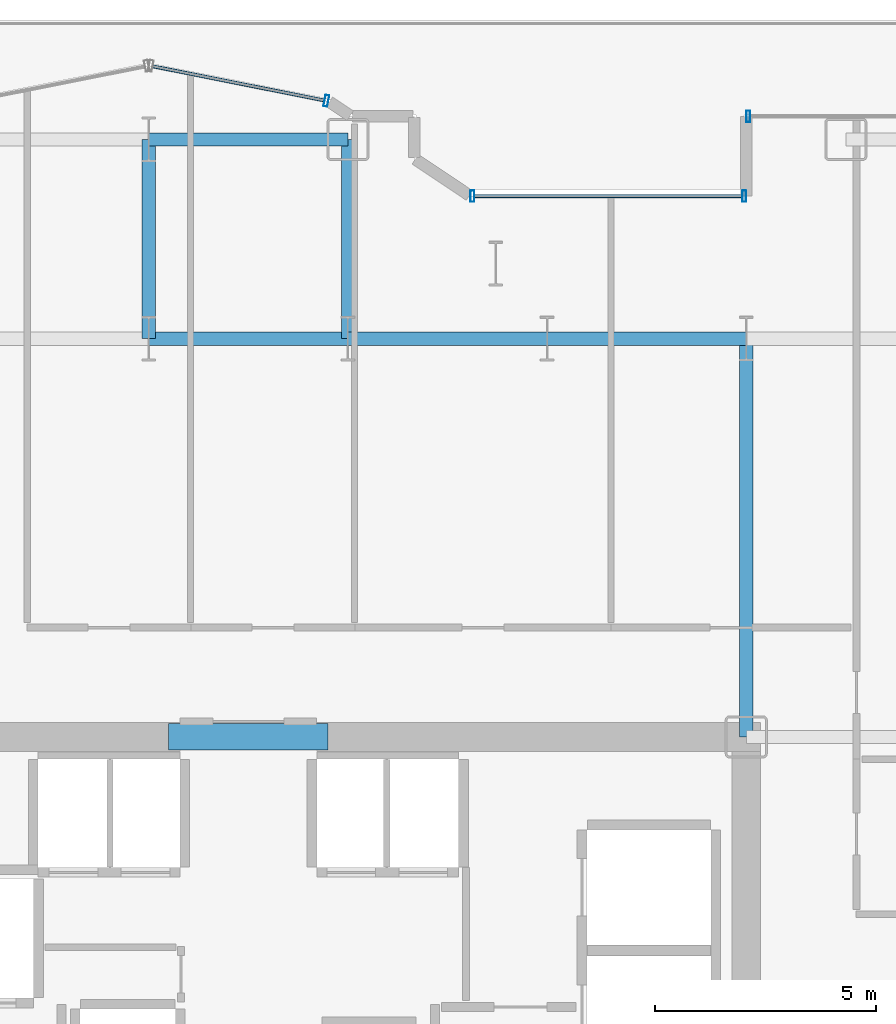
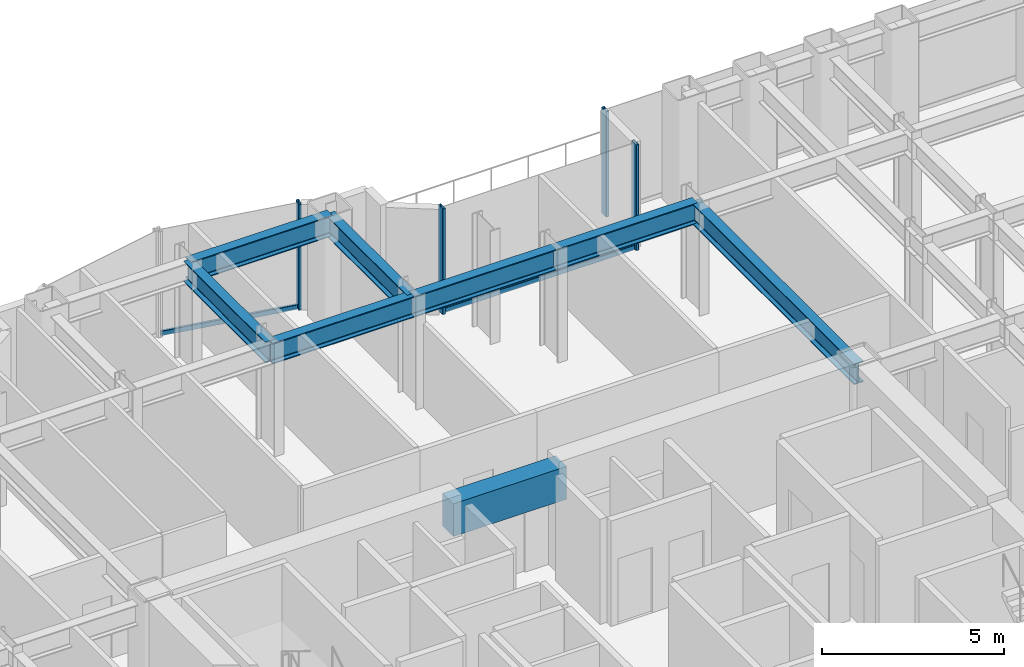
# One storey, part 14 of 30: 8 beams, 6 members, 3 elements without a shape of their own.
"""IFC4 building model written with IfcOpenShell, lengths in metres."""

from ifc_helpers import new_model, si_unit, direction, frame, origin, origin_2d, place, context, subcontext, project, spatial, rectangle, hollow_rectangle, i_section, extrude, source, transform, mapped, material, layer, layer_set, material_profile, profile_set, type_object, element, aggregate, save


model = new_model("IFC4")

# Units and contexts
model_context = context("Model", 3, precision=1e-05, world=origin(), true_north=direction((0.0, 1.0)))
body_context = subcontext(model_context, "Body", "Model", "MODEL_VIEW")
ifc_project = project(units=[si_unit("LENGTHUNIT", "METRE"), si_unit("AREAUNIT", "SQUARE_METRE"), si_unit("VOLUMEUNIT", "CUBIC_METRE"), si_unit("PLANEANGLEUNIT", "RADIAN"), si_unit("MASSUNIT", "GRAM", prefix="KILO")], contexts=[model_context])

# Site, building, storey
site_placement = place(None, origin())
site = spatial("IfcSite", under=ifc_project, at=site_placement, CompositionType="ELEMENT")
building_placement = place(site_placement, origin())
building = spatial("IfcBuilding", under=site, at=building_placement, Name="Nefas-Gora Pilgrimage Tower", CompositionType="ELEMENT")
storey_placement = place(building_placement, frame((0.0, 0.0, 33.0)))
storey = spatial("IfcBuildingStorey", under=building, at=storey_placement, Name="L06", CompositionType="ELEMENT", Elevation=33.0)

# Beams
ifc_material_1 = material(Name="Concrete C60/75", Category="concrete")
ifc_material_profile_1 = material_profile(ifc_material_1, rectangle(XDim=0.60009765625, YDim=1.10009765625, at=origin_2d()), Name="RC 600x1100")
ifc_profile_set_1 = profile_set([ifc_material_profile_1], Name="Concrete C60/75")
beam_type_1 = type_object("IfcBeamType", Name="BM-LIN-RC1100", PredefinedType="LINTEL", material=ifc_profile_set_1)
shared_shape_1 = source(origin(), body_context, "Body", "SweptSolid", [
    extrude(rectangle(XDim=0.60009765625, YDim=1.10009765625, at=origin_2d()), origin(), (0.0, 0.0, 1.0), 3.60009765625),
])
beam_1_placement = place(storey_placement, frame((-1.800048828125, 9.0, 3.0), z_axis=(1.0, 0.0, 0.0), x_axis=(0.0, 1.0, 0.0)))
element("IfcBeam", 1, at=beam_1_placement, inside=storey, type_object=beam_type_1, Name="L06 Core Coupling Lintel Beam N", PredefinedType="LINTEL", context=body_context, shape_type="MappedRepresentation", body=[
    mapped(shared_shape_1, transform((0.0, 0.0, 0.0), x_axis=(1.0, 0.0, 0.0), y_axis=(0.0, 1.0, 0.0), z_axis=(0.0, 0.0, 1.0), scale=1.0)),
])
ifc_material_2 = material(Name="Steel S355", Category="steel")
ifc_material_profile_2 = material_profile(ifc_material_2, i_section(OverallWidth=0.300048828125, OverallDepth=0.699951171875, WebThickness=0.01708984375, FlangeThickness=0.031982421875, FilletRadius=0.027099609375, at=origin_2d()), Name="HEB 700")
ifc_profile_set_2 = profile_set([ifc_material_profile_2], Name="Steel S355")
beam_type_2 = type_object("IfcBeamType", Name="BM-GIR-HEB700", PredefinedType="BEAM", material=ifc_profile_set_2)
shared_shape_2 = source(origin(), body_context, "Body", "SweptSolid", [
    extrude(i_section(OverallWidth=0.300048828125, OverallDepth=0.699951171875, WebThickness=0.01708984375, FlangeThickness=0.031982421875, FilletRadius=0.027099609375, at=origin_2d()), origin(), (0.0, 0.0, 1.0), 9.0),
])
beam_2_placement = place(storey_placement, frame((11.25, 9.0, 3.199951171875), z_axis=(0.0, 1.0, 0.0), x_axis=(-1.0, 0.0, 0.0)))
element("IfcBeam", 2, at=beam_2_placement, inside=storey, type_object=beam_type_2, Name="L06 G-02 beam", PredefinedType="BEAM", context=body_context, shape_type="MappedRepresentation", body=[
    mapped(shared_shape_2, transform((0.0, 0.0, 0.0), x_axis=(1.0, 0.0, 0.0), y_axis=(0.0, 1.0, 0.0), z_axis=(0.0, 0.0, 1.0), scale=1.0)),
])
shared_shape_3 = source(origin(), body_context, "Body", "SweptSolid", [
    extrude(i_section(OverallWidth=0.300048828125, OverallDepth=0.699951171875, WebThickness=0.01708984375, FlangeThickness=0.031982421875, FilletRadius=0.027099609375, at=origin_2d()), origin(), (0.0, 0.0, 1.0), 4.5),
])
for number, where, z_axis, x_axis, name in (
    (3, (-2.25, 18.0, 3.199951171875), (0.0, 1.0, 0.0), (-1.0, 0.0, 0.0), "L06 G-02 beam"),
    (4, (-2.25, 18.0, 3.199951171875), (1.0, 0.0, 0.0), (0.0, 1.0, 0.0), "L06 G-02 beam"),
    (5, (-2.25, 22.5, 3.199951171875), (1.0, 0.0, 0.0), (0.0, 1.0, 0.0), "L06 G-02 beam"),
    (6, (2.25, 18.0, 3.199951171875), (0.0, 1.0, 0.0), (-1.0, 0.0, 0.0), "L06 G-02 beam"),
    (7, (2.25, 18.0, 3.199951171875), (1.0, 0.0, 0.0), (0.0, 1.0, 0.0), "L06 G-02 beam"),
    (8, (6.75, 18.0, 3.199951171875), (1.0, 0.0, 0.0), (0.0, 1.0, 0.0), "L06 G-02 beam"),
):
    element("IfcBeam", number, at=place(storey_placement, frame(where, z_axis=z_axis, x_axis=x_axis)), inside=storey, type_object=beam_type_2, Name=name, PredefinedType="BEAM", context=body_context, shape_type="MappedRepresentation", body=[
        mapped(shared_shape_3, transform((0.0, 0.0, 0.0), x_axis=(1.0, 0.0, 0.0), y_axis=(0.0, 1.0, 0.0), z_axis=(0.0, 0.0, 1.0), scale=1.0)),
    ])

# Curtain wall, members
ifc_material_3 = material(Name="Dark ceramic-fritted solar-control aluminium-glass curtain wall", Category="aluminium")
ifc_layer_1 = layer(ifc_material_3, 0.219970703125)
ifc_layer_set_1 = layer_set([ifc_layer_1], Name="Dark ceramic-fritted solar-control aluminium-glass curtain wall")
curtain_wall_type_1 = type_object("IfcCurtainWallType", Name="CW-SYS-5", PredefinedType="NOTDEFINED", material=ifc_layer_set_1)
curtain_wall_1_placement = place(storey_placement, origin())
curtain_wall_1 = element("IfcCurtainWall", 9, at=curtain_wall_1_placement, inside=storey, type_object=curtain_wall_type_1, Name="L06 Unitised Curtain Wall CW5", PredefinedType="NOTDEFINED")
ifc_material_4 = material(Name="Anodised architectural aluminium", Category="aluminium")
ifc_material_profile_3 = material_profile(ifc_material_4, hollow_rectangle(XDim=0.090087890625, YDim=0.260009765625, WallThickness=0.006103515625, InnerFilletRadius=0.006103515625, OuterFilletRadius=0.011962890625, at=origin_2d()), Name="ALU MULLION 90x260")
ifc_profile_set_3 = profile_set([ifc_material_profile_3], Name="Anodised architectural aluminium")
member_type_1 = type_object("IfcMemberType", Name="CWM-MUL-5", PredefinedType="MULLION", material=ifc_profile_set_3)
shared_shape_4 = source(origin(), body_context, "Body", "SweptSolid", [
    extrude(hollow_rectangle(XDim=0.090087890625, YDim=0.260009765625, WallThickness=0.006103515625, InnerFilletRadius=0.006103515625, OuterFilletRadius=0.011962890625, at=origin_2d()), origin(), (0.0, 0.0, 1.0), 3.550048828125),
])
member_1_placement = place(storey_placement, frame((11.205078125, 21.219970703125, 0.0), z_axis=(0.0, 0.0, 1.0), x_axis=(-1.0, 0.0, 0.0)))
member_1 = element("IfcMember", 10, at=member_1_placement, type_object=member_type_1, Name="CW5 Mullion 1", PredefinedType="MULLION", context=body_context, shape_type="MappedRepresentation", body=[
    mapped(shared_shape_4, transform((0.0, 0.0, 0.0), x_axis=(1.0, 0.0, 0.0), y_axis=(0.0, 1.0, 0.0), z_axis=(0.0, 0.0, 1.0), scale=1.0)),
])
member_2_placement = place(storey_placement, frame((5.06298828125, 21.219970703125, 0.0), z_axis=(0.0, 0.0, 1.0), x_axis=(-1.0, 0.0, 0.0)))
member_2 = element("IfcMember", 11, at=member_2_placement, type_object=member_type_1, Name="CW5 Mullion 2", PredefinedType="MULLION", context=body_context, shape_type="MappedRepresentation", body=[
    mapped(shared_shape_4, transform((0.0, 0.0, 0.0), x_axis=(1.0, 0.0, 0.0), y_axis=(0.0, 1.0, 0.0), z_axis=(0.0, 0.0, 1.0), scale=1.0)),
])

# Curtain wall, member
curtain_wall_2_placement = place(storey_placement, origin())
curtain_wall_2 = element("IfcCurtainWall", 12, at=curtain_wall_2_placement, inside=storey, type_object=curtain_wall_type_1, Name="L06 Unitised Curtain Wall CW5", PredefinedType="NOTDEFINED")
member_3_placement = place(storey_placement, frame((1.76318359375, 23.3740234375, 0.0), z_axis=(0.0, 0.0, 1.0), x_axis=(-0.980782896852, 0.195102304554, 0.0)))
member_3 = element("IfcMember", 13, at=member_3_placement, type_object=member_type_1, Name="CW5 Mullion 1", PredefinedType="MULLION", context=body_context, shape_type="MappedRepresentation", body=[
    mapped(shared_shape_4, transform((0.0, 0.0, 0.0), x_axis=(1.0, 0.0, 0.0), y_axis=(0.0, 1.0, 0.0), z_axis=(0.0, 0.0, 1.0), scale=1.0)),
])

# Member
ifc_material_profile_4 = material_profile(ifc_material_4, hollow_rectangle(XDim=0.080078125, YDim=0.159912109375, WallThickness=0.00439453125, InnerFilletRadius=0.00439453125, OuterFilletRadius=0.009033203125, at=origin_2d()), Name="ALU TRANSOM 80x160")
ifc_profile_set_4 = profile_set([ifc_material_profile_4], Name="Anodised architectural aluminium")
member_type_2 = type_object("IfcMemberType", Name="CWM-TRN-5", PredefinedType="USERDEFINED", material=ifc_profile_set_4)
shared_shape_5 = source(origin(), body_context, "Body", "SweptSolid", [
    extrude(hollow_rectangle(XDim=0.080078125, YDim=0.159912109375, WallThickness=0.00439453125, InnerFilletRadius=0.00439453125, OuterFilletRadius=0.009033203125, at=origin_2d()), origin(), (0.0, 0.0, 1.0), 6.052001953125),
])
member_4_placement = place(storey_placement, frame((11.159912109375, 21.219970703125, 0.050048828125), z_axis=(-1.0, 0.0, 0.0), x_axis=(0.0, -1.0, 0.0)))
member_4 = element("IfcMember", 14, at=member_4_placement, type_object=member_type_2, Name="CW5 Spandrel Transom", ObjectType="TRANSOM", PredefinedType="USERDEFINED", context=body_context, shape_type="MappedRepresentation", body=[
    mapped(shared_shape_5, transform((0.0, 0.0, 0.0), x_axis=(1.0, 0.0, 0.0), y_axis=(0.0, 1.0, 0.0), z_axis=(0.0, 0.0, 1.0), scale=1.0)),
])

aggregate(curtain_wall_1, [member_1, member_2, member_4])

# Curtain wall, member
ifc_layer_2 = layer(ifc_material_3, 0.219970703125)
ifc_layer_set_2 = layer_set([ifc_layer_2], Name="Dark ceramic-fritted solar-control aluminium-glass curtain wall")
curtain_wall_type_2 = type_object("IfcCurtainWallType", Name="CW-SYS-2", PredefinedType="NOTDEFINED", material=ifc_layer_set_2)
curtain_wall_3_placement = place(storey_placement, origin())
curtain_wall_3 = element("IfcCurtainWall", 15, at=curtain_wall_3_placement, inside=storey, type_object=curtain_wall_type_2, Name="L06 Unitised Curtain Wall CW2", PredefinedType="NOTDEFINED")
ifc_material_profile_5 = material_profile(ifc_material_4, hollow_rectangle(XDim=0.090087890625, YDim=0.260009765625, WallThickness=0.006103515625, InnerFilletRadius=0.006103515625, OuterFilletRadius=0.011962890625, at=origin_2d()), Name="ALU MULLION 90x260")
ifc_profile_set_5 = profile_set([ifc_material_profile_5], Name="Anodised architectural aluminium")
member_type_3 = type_object("IfcMemberType", Name="CWM-MUL-2", PredefinedType="MULLION", material=ifc_profile_set_5)
shared_shape_6 = source(origin(), body_context, "Body", "SweptSolid", [
    extrude(hollow_rectangle(XDim=0.090087890625, YDim=0.260009765625, WallThickness=0.006103515625, InnerFilletRadius=0.006103515625, OuterFilletRadius=0.011962890625, at=origin_2d()), origin(), (0.0, 0.0, 1.0), 3.550048828125),
])
member_5_placement = place(storey_placement, frame((11.294921875, 23.02001953125, 0.0), z_axis=(0.0, 0.0, 1.0), x_axis=(-1.0, 0.0, 0.0)))
member_5 = element("IfcMember", 16, at=member_5_placement, type_object=member_type_3, Name="CW2 Mullion 2", PredefinedType="MULLION", context=body_context, shape_type="MappedRepresentation", body=[
    mapped(shared_shape_6, transform((0.0, 0.0, 0.0), x_axis=(1.0, 0.0, 0.0), y_axis=(0.0, 1.0, 0.0), z_axis=(0.0, 0.0, 1.0), scale=1.0)),
])
aggregate(curtain_wall_3, [member_5])

# Member
shared_shape_7 = source(origin(), body_context, "Body", "SweptSolid", [
    extrude(hollow_rectangle(XDim=0.080078125, YDim=0.159912109375, WallThickness=0.00439453125, InnerFilletRadius=0.00439453125, OuterFilletRadius=0.009033203125, at=origin_2d()), origin(), (0.0, 0.0, 1.0), 3.95654296875),
])
member_6_placement = place(storey_placement, frame((1.718994140625, 23.3828125, 0.050048828125), z_axis=(-0.980781880918, 0.195107411605, 0.0), x_axis=(-0.195107411605, -0.980781880918, 0.0)))
member_6 = element("IfcMember", 17, at=member_6_placement, type_object=member_type_2, Name="CW5 Spandrel Transom", ObjectType="TRANSOM", PredefinedType="USERDEFINED", context=body_context, shape_type="MappedRepresentation", body=[
    mapped(shared_shape_7, transform((0.0, 0.0, 0.0), x_axis=(1.0, 0.0, 0.0), y_axis=(0.0, 1.0, 0.0), z_axis=(0.0, 0.0, 1.0), scale=1.0)),
])

aggregate(curtain_wall_2, [member_3, member_6])

save(model, "model.ifc")
